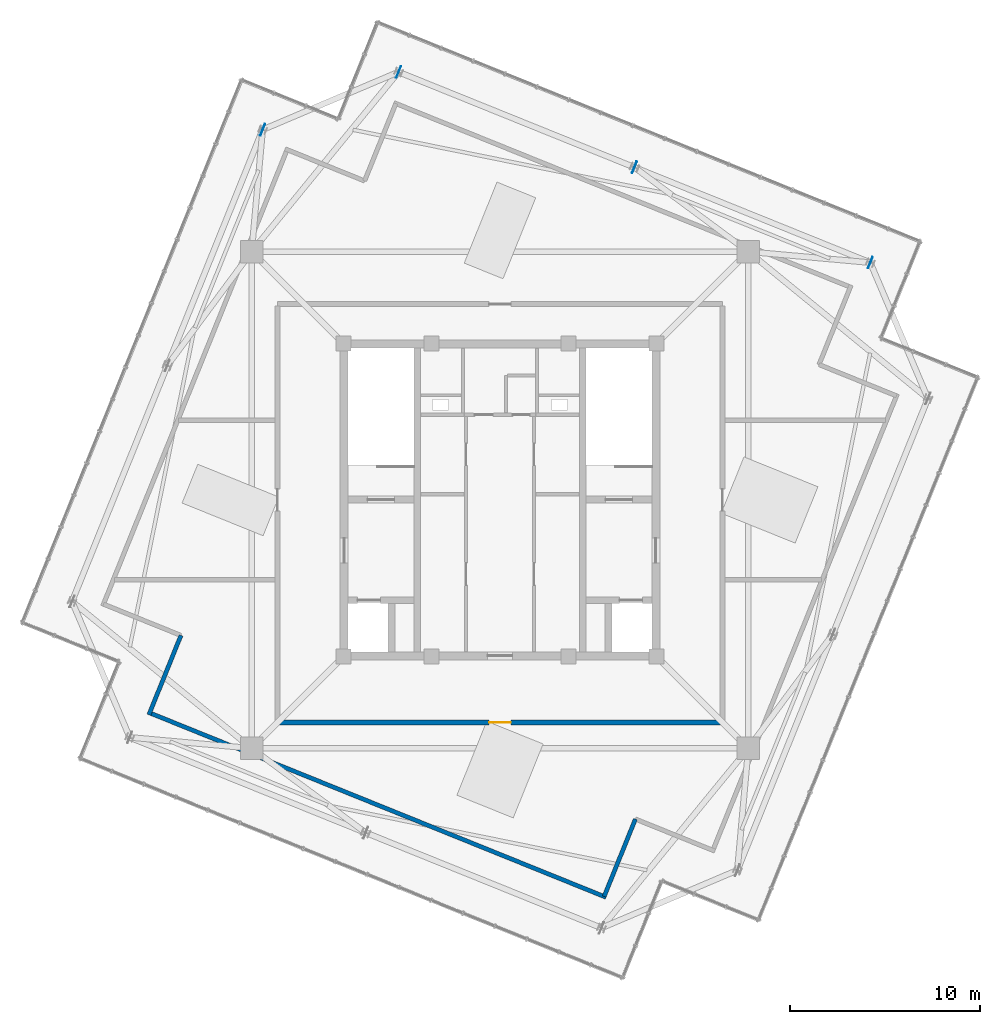
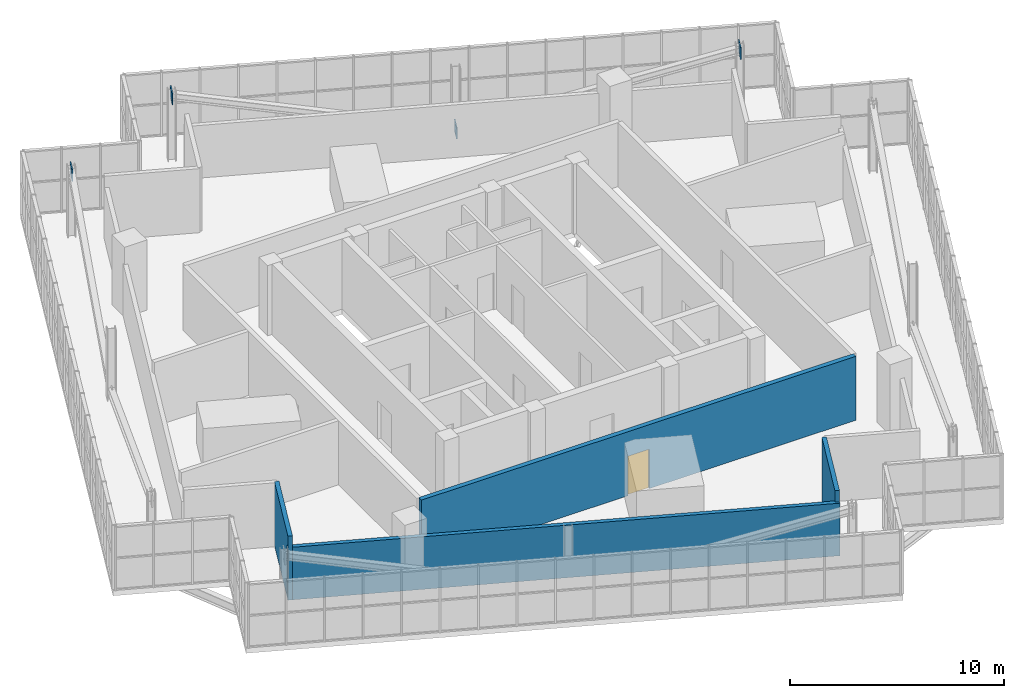
# One storey, part 22 of 26: 4 plates, 4 walls, 1 door, 1 opening.
"""IFC4 building model written with IfcOpenShell, lengths in metres."""

from ifc_helpers import new_model, si_unit, direction, frame, frame_2d, origin, origin_2d, place, context, subcontext, project, spatial, rectangle, extrude, source, transform, mapped, material, layer, layer_set, type_object, element, fill, save


model = new_model("IFC4")

# Units and contexts
model_context = context("Model", 3, precision=1e-05, world=origin(), true_north=direction((0.0, 1.0)))
body_context = subcontext(model_context, "Body", "Model", "MODEL_VIEW")
ifc_project = project(units=[si_unit("LENGTHUNIT", "METRE"), si_unit("AREAUNIT", "SQUARE_METRE"), si_unit("VOLUMEUNIT", "CUBIC_METRE"), si_unit("PLANEANGLEUNIT", "RADIAN"), si_unit("MASSUNIT", "GRAM", prefix="KILO"), si_unit("THERMODYNAMICTEMPERATUREUNIT", "KELVIN")], contexts=[model_context])

# Site, building, storey
site_placement = place(None, origin())
site = spatial("IfcSite", under=ifc_project, at=site_placement, CompositionType="ELEMENT")
building_placement = place(site_placement, origin())
building = spatial("IfcBuilding", under=site, at=building_placement, Name="Kosmvard Interchange Tower", CompositionType="ELEMENT")
storey_placement = place(building_placement, frame((0.0, 0.0, 341.60009765625)))
storey = spatial("IfcBuildingStorey", under=building, at=storey_placement, Name="L84", CompositionType="ELEMENT", Elevation=341.60009765625)

# Plates
ifc_material_1 = material(Name="Steel S355", Category="steel")
ifc_layer_1 = layer(ifc_material_1, 0.0380859375, Name="Steel S355")
ifc_layer_set_1 = layer_set([ifc_layer_1], Name="Steel S355")
plate_type = type_object("IfcPlateType", Name="Lantern Base & Chord End Cap Stiffener 750x750x38 S355", PredefinedType="USERDEFINED", material=ifc_layer_set_1)
shared_shape_1 = source(origin(), body_context, "Body", "SweptSolid", [
    extrude(rectangle(XDim=0.64990234375, YDim=0.0380859375, at=origin_2d()), origin(), (0.0, 0.0, 1.0), 0.64990234375),
])
for number, where, z_axis, x_axis, name in (
    (1, (19.50439453125, 12.504150390625, 3.324951171875), (0.0, 0.0, 1.0), (0.374606593416, 0.927183854567, 0.0), "L84 Crown Diagrid Node Gusset Plate LAE"),
    (2, (-5.34423828125, 22.54345703125, 3.324951171875), (0.0, 0.0, 1.0), (0.374606593416, 0.927183854567, 0.0), "L84 Crown Diagrid Node Gusset Plate LBE"),
    (3, (7.080078125, 17.523681640625, 0.094970703125), (0.0, 0.0, 1.0), (0.374606593416, 0.927183854567, 0.0), "L84 Crown Diagrid Node Gusset Plate LME"),
    (4, (-12.504150390625, 19.50439453125, 3.324951171875), (0.0, 0.0, 1.0), (0.374606593416, 0.927183854567, 0.0), "L84 Crown Diagrid Node Gusset Plate LAN"),
):
    element("IfcPlate", number, at=place(storey_placement, frame(where, z_axis=z_axis, x_axis=x_axis)), inside=storey, type_object=plate_type, Name=name, ObjectType="STIFFENER_PLATE", PredefinedType="USERDEFINED", context=body_context, shape_type="MappedRepresentation", body=[
        mapped(shared_shape_1, transform((0.0, 0.0, 0.0), scale=1.0)),
    ])

# Wall, opening, door
ifc_material_2 = material(Name="Concrete blockwork masonry", Category="masonry")
ifc_layer_2 = layer(ifc_material_2, 0.25, Name="Concrete blockwork masonry")
ifc_layer_set_2 = layer_set([ifc_layer_2], Name="Concrete blockwork masonry")
wall_type_1 = type_object("IfcWallType", Name="Exit Passage & Firefighting Lobby Wall 250", PredefinedType="PARTITIONING", material=ifc_layer_set_2)
wall_1_placement = place(storey_placement, frame((-11.719970703125, -11.719970703125, 0.0), z_axis=(0.0, 0.0, 1.0), x_axis=(1.0, 0.0, 0.0)))
wall_1 = element("IfcWall", 5, at=wall_1_placement, inside=storey, type_object=wall_type_1, Name="L84 Corridor Wall CS", PredefinedType="PARTITIONING", context=body_context, shape_type="SweptSolid", body=[
    extrude(rectangle(XDim=23.43994140625, YDim=0.25, at=frame_2d((11.719970703125, 0.0))), origin(), (0.0, 0.0, 1.0), 3.64990234375),
])
opening_placement = place(wall_1_placement, frame((11.14501953125, 0.0, 0.0)))
opening = element("IfcOpeningElement", 6, at=opening_placement, cuts=wall_1, Name="Opening L84-D03", PredefinedType="OPENING", context=body_context, shape_type="SweptSolid", body=[
    extrude(rectangle(XDim=1.14990234375, YDim=2.25, at=frame_2d((0.574951171875, 1.125))), frame((0.0, 0.135009765625, 0.0), z_axis=(0.0, -1.0, 0.0), x_axis=(1.0, 0.0, 0.0)), (0.0, 0.0, 1.0), 0.27001953125),
])
ifc_material_3 = material(Name="Painted fire-rated steel leaf", Category="steel")
door_type = type_object("IfcDoorType", Name="Plant & Riser Fire Door 1150x2250 EI60", OperationType="NOTDEFINED", PredefinedType="DOOR", material=ifc_material_3)
shared_shape_2 = source(origin(), body_context, "Body", "SweptSolid", [
    extrude(rectangle(XDim=1.14990234375, YDim=2.25, at=frame_2d((0.574951171875, 1.125))), frame((0.0, 0.02490234375, 0.0), z_axis=(0.0, -1.0, 0.0), x_axis=(1.0, 0.0, 0.0)), (0.0, 0.0, 1.0), 0.050048828125),
])
door_placement = place(opening_placement, frame((1.14990234375, 0.0, 0.0), z_axis=(0.0, 0.0, 1.0), x_axis=(-1.0, 0.0, 0.0)))
door = element("IfcDoor", 7, at=door_placement, inside=storey, type_object=door_type, Name="L84 Smoke Make-Up Fan Plant Room Door", OperationType="SINGLE_SWING_LEFT", OverallHeight=2.25, OverallWidth=1.14990234375, PredefinedType="DOOR", context=body_context, shape_type="MappedRepresentation", body=[
    mapped(shared_shape_2, transform((0.0, 0.0, 0.0), scale=1.0)),
])
fill(opening, door)

# Walls
ifc_layer_3 = layer(ifc_material_2, 0.219970703125, Name="Concrete blockwork masonry")
ifc_layer_set_3 = layer_set([ifc_layer_3], Name="Concrete blockwork masonry")
wall_type_2 = type_object("IfcWallType", Name="Riser & Plant Enclosure Wall 220", PredefinedType="PARTITIONING", material=ifc_layer_set_3)
wall_2_placement = place(storey_placement, frame((-16.80615234375, -7.1337890625, 0.0), z_axis=(0.0, 0.0, 1.0), x_axis=(-0.374599091925, -0.927186885331, 0.0)))
element("IfcWall", 8, at=wall_2_placement, inside=storey, type_object=wall_type_2, Name="L84 Crown Plant Enclosure Wall NW2", PredefinedType="PARTITIONING", context=body_context, shape_type="SweptSolid", body=[
    extrude(rectangle(XDim=4.510009765625, YDim=0.219970703125, at=frame_2d((2.2548828125, 0.0))), origin(), (0.0, 0.0, 1.0), 3.64990234375),
])
wall_3_placement = place(storey_placement, frame((-18.556396484375, -11.172119140625, 0.0), z_axis=(0.0, 0.0, 1.0), x_axis=(0.927181788521, -0.374611707018, 0.0)))
element("IfcWall", 9, at=wall_3_placement, inside=storey, type_object=wall_type_2, Name="L84 Crown Plant Enclosure Wall W", PredefinedType="PARTITIONING", context=body_context, shape_type="SweptSolid", body=[
    extrude(rectangle(XDim=26.0400390625, YDim=0.219970703125, at=frame_2d((13.02001953125, 0.0))), origin(), (0.0, 0.0, 1.0), 3.0),
])
wall_4_placement = place(storey_placement, frame((5.485595703125, -20.8857421875, 0.0), z_axis=(0.0, 0.0, 1.0), x_axis=(0.374593321469, 0.927189216671, 0.0)))
element("IfcWall", 10, at=wall_4_placement, inside=storey, type_object=wall_type_2, Name="L84 Crown Plant Enclosure Wall SW1", PredefinedType="PARTITIONING", context=body_context, shape_type="SweptSolid", body=[
    extrude(rectangle(XDim=4.39990234375, YDim=0.219970703125, at=frame_2d((2.199951171875, 0.0))), origin(), (0.0, 0.0, 1.0), 3.64990234375),
])

save(model, "model.ifc")
